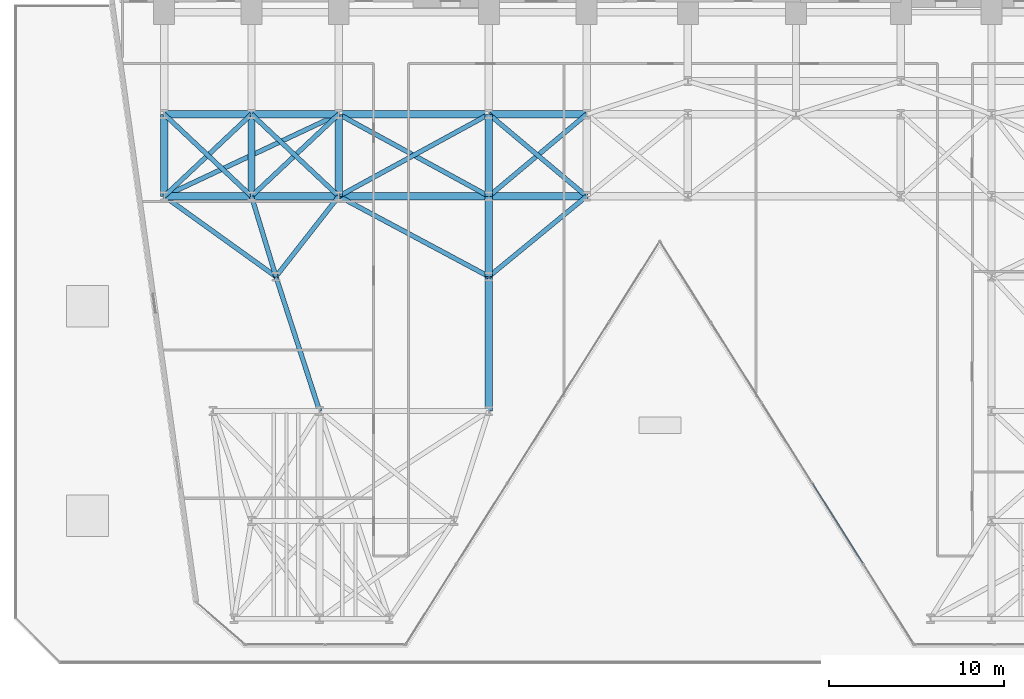
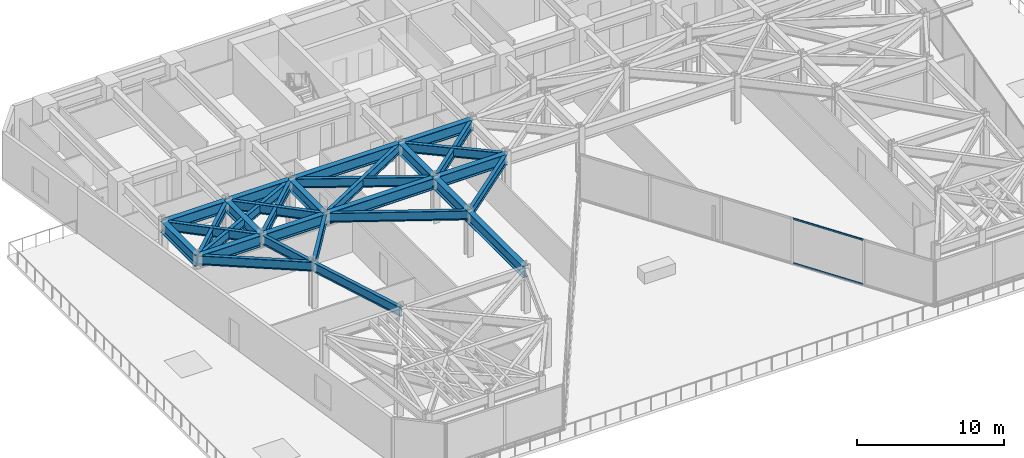
# One storey, part 6 of 25: 29 beams, 2 members, 1 element without a shape of its own.
"""IFC4 building model written with IfcOpenShell, lengths in metres."""

from ifc_helpers import new_model, si_unit, direction, frame, origin, origin_2d, place, context, subcontext, project, spatial, hollow_rectangle, i_section, extrude, material, layer, layer_set, material_profile, profile_set, type_object, element, aggregate, save


model = new_model("IFC4")

# Units and contexts
model_context = context("Model", 3, precision=1e-05, world=origin(), true_north=direction((0.0, 1.0)))
body_context = subcontext(model_context, "Body", "Model", "MODEL_VIEW")
ifc_project = project(units=[si_unit("LENGTHUNIT", "METRE"), si_unit("AREAUNIT", "SQUARE_METRE"), si_unit("VOLUMEUNIT", "CUBIC_METRE"), si_unit("PLANEANGLEUNIT", "RADIAN"), si_unit("MASSUNIT", "GRAM", prefix="KILO")], contexts=[model_context])

# Site, building, storey
site_placement = place(None, origin())
site = spatial("IfcSite", under=ifc_project, at=site_placement, CompositionType="ELEMENT")
building_placement = place(site_placement, origin())
building = spatial("IfcBuilding", under=site, at=building_placement, Name="Kravanh Interchange Tower", CompositionType="ELEMENT")
storey_placement = place(building_placement, frame((0.0, 0.0, 29.5)))
storey = spatial("IfcBuildingStorey", under=building, at=storey_placement, Name="L06", CompositionType="ELEMENT", Elevation=29.5)

# Curtain wall, members
ifc_material_1 = material(Name="Anodised Bronze Aluminium", Category="aluminium")
ifc_layer = layer(ifc_material_1, 0.179931640625)
ifc_layer_set = layer_set([ifc_layer], Name="Unitised Curtain Wall System CW-Z1 Lower Office")
curtain_wall_type = type_object("IfcCurtainWallType", Name="Unitised Curtain Wall System CW-Z1 Lower Office", PredefinedType="NOTDEFINED", material=ifc_layer_set)
curtain_wall_placement = place(storey_placement, origin())
curtain_wall = element("IfcCurtainWall", 1, at=curtain_wall_placement, inside=storey, type_object=curtain_wall_type, Name="L06 Unitised Curtain Wall CW-L06-04", PredefinedType="NOTDEFINED")
ifc_material_2 = material(Name="Anodised Bronze Aluminium", Category="aluminium")
ifc_material_profile_1 = material_profile(ifc_material_2, hollow_rectangle(XDim=0.06005859375, YDim=0.139892578125, WallThickness=0.00390625, at=origin_2d()), Name="ALU60X140X4")
ifc_profile_set_1 = profile_set([ifc_material_profile_1], Name="Anodised Bronze Aluminium")
member_type = type_object("IfcMemberType", Name="Curtain Wall Transom ALU60X140X4 Bronze", PredefinedType="USERDEFINED", material=ifc_profile_set_1)
member_1_placement = place(storey_placement, frame((48.63427734375, 5.7705078125, 0.030029296875), z_axis=(-0.533311487456, 0.84591894254, 0.0), x_axis=(-0.84591894254, -0.533311487456, 0.0)))
member_1 = element("IfcMember", 2, at=member_1_placement, type_object=member_type, Name="CW-Z1 transom 2.1", ObjectType="TRANSOM", PredefinedType="USERDEFINED", context=body_context, shape_type="SweptSolid", body=[
    extrude(hollow_rectangle(XDim=0.06005859375, YDim=0.139892578125, WallThickness=0.00390625, at=origin_2d()), origin(), (0.0, 0.0, 1.0), 5.392578125),
])
member_2_placement = place(storey_placement, frame((48.63427734375, 5.7705078125, 3.7099609375), z_axis=(-0.533311487456, 0.84591894254, 0.0), x_axis=(-0.84591894254, -0.533311487456, 0.0)))
member_2 = element("IfcMember", 3, at=member_2_placement, type_object=member_type, Name="CW-Z1 transom 2.2", ObjectType="TRANSOM", PredefinedType="USERDEFINED", context=body_context, shape_type="SweptSolid", body=[
    extrude(hollow_rectangle(XDim=0.06005859375, YDim=0.139892578125, WallThickness=0.00390625, at=origin_2d()), origin(), (0.0, 0.0, 1.0), 5.392578125),
])
aggregate(curtain_wall, [member_1, member_2])

# Beams
ifc_material_3 = material(Name="Structural Steel S355", Category="steel")
ifc_material_profile_2 = material_profile(ifc_material_3, i_section(OverallWidth=0.41796875, OverallDepth=0.927001953125, WebThickness=0.019287109375, FlangeThickness=0.031982421875, FilletRadius=0.028076171875, at=origin_2d()), Name="W36X231")
ifc_profile_set_2 = profile_set([ifc_material_profile_2], Name="Structural Steel S355")
beam_type_1 = type_object("IfcBeamType", Name="Floor Beam W36X231 Structural Steel S355", PredefinedType="BEAM", material=ifc_profile_set_2)
beam_1_placement = place(storey_placement, frame((27.199951171875, 22.199951171875, 3.276611328125), z_axis=(0.0, 1.0, 0.0), x_axis=(-1.0, 0.0, 0.0)))
element("IfcBeam", 4, at=beam_1_placement, inside=storey, type_object=beam_type_1, Name="L06 Primary Floor Girder 54", PredefinedType="BEAM", context=body_context, shape_type="SweptSolid", body=[
    extrude(i_section(OverallWidth=0.41796875, OverallDepth=0.927001953125, WebThickness=0.019287109375, FlangeThickness=0.031982421875, FilletRadius=0.028076171875, at=origin_2d()), origin(), (0.0, 0.0, 1.0), 4.60009765625),
])
beam_2_placement = place(storey_placement, frame((27.199951171875, 22.199951171875, 3.276611328125), z_axis=(0.0, -1.0, 0.0), x_axis=(1.0, 0.0, 0.0)))
element("IfcBeam", 5, at=beam_2_placement, inside=storey, type_object=beam_type_1, Name="L06 Primary Floor Girder 56", PredefinedType="BEAM", context=body_context, shape_type="SweptSolid", body=[
    extrude(i_section(OverallWidth=0.41796875, OverallDepth=0.927001953125, WebThickness=0.019287109375, FlangeThickness=0.031982421875, FilletRadius=0.028076171875, at=origin_2d()), origin(), (0.0, 0.0, 1.0), 7.699951171875),
])
beam_3_placement = place(storey_placement, frame((8.60009765625, 26.800048828125, 3.276611328125), z_axis=(0.0, 1.0, 0.0), x_axis=(-1.0, 0.0, 0.0)))
element("IfcBeam", 6, at=beam_3_placement, inside=storey, type_object=beam_type_1, Name="L06 Primary Floor Girder 66", PredefinedType="BEAM", context=body_context, shape_type="SweptSolid", body=[
    extrude(i_section(OverallWidth=0.41796875, OverallDepth=0.927001953125, WebThickness=0.019287109375, FlangeThickness=0.031982421875, FilletRadius=0.028076171875, at=origin_2d()), origin(), (0.0, 0.0, 1.0), 4.699951171875),
])
beam_4_placement = place(storey_placement, frame((8.60009765625, 26.800048828125, 3.276611328125), z_axis=(1.0, 0.0, 0.0), x_axis=(0.0, 1.0, 0.0)))
element("IfcBeam", 7, at=beam_4_placement, inside=storey, type_object=beam_type_1, Name="L06 Primary Floor Girder 67", PredefinedType="BEAM", context=body_context, shape_type="SweptSolid", body=[
    extrude(i_section(OverallWidth=0.41796875, OverallDepth=0.927001953125, WebThickness=0.019287109375, FlangeThickness=0.031982421875, FilletRadius=0.028076171875, at=origin_2d()), origin(), (0.0, 0.0, 1.0), 5.0),
])
beam_5_placement = place(storey_placement, frame((13.60009765625, 26.800048828125, 3.276611328125), z_axis=(0.0, 1.0, 0.0), x_axis=(-1.0, 0.0, 0.0)))
element("IfcBeam", 8, at=beam_5_placement, inside=storey, type_object=beam_type_1, Name="L06 Primary Floor Girder 70", PredefinedType="BEAM", context=body_context, shape_type="SweptSolid", body=[
    extrude(i_section(OverallWidth=0.41796875, OverallDepth=0.927001953125, WebThickness=0.019287109375, FlangeThickness=0.031982421875, FilletRadius=0.028076171875, at=origin_2d()), origin(), (0.0, 0.0, 1.0), 4.699951171875),
])
beam_6_placement = place(storey_placement, frame((13.60009765625, 26.800048828125, 3.276611328125), z_axis=(1.0, 0.0, 0.0), x_axis=(0.0, 1.0, 0.0)))
element("IfcBeam", 9, at=beam_6_placement, inside=storey, type_object=beam_type_1, Name="L06 Primary Floor Girder 71", PredefinedType="BEAM", context=body_context, shape_type="SweptSolid", body=[
    extrude(i_section(OverallWidth=0.41796875, OverallDepth=0.927001953125, WebThickness=0.019287109375, FlangeThickness=0.031982421875, FilletRadius=0.028076171875, at=origin_2d()), origin(), (0.0, 0.0, 1.0), 5.0),
])
beam_7_placement = place(storey_placement, frame((18.60009765625, 26.800048828125, 3.276611328125), z_axis=(0.0, 1.0, 0.0), x_axis=(-1.0, 0.0, 0.0)))
element("IfcBeam", 10, at=beam_7_placement, inside=storey, type_object=beam_type_1, Name="L06 Primary Floor Girder 74", PredefinedType="BEAM", context=body_context, shape_type="SweptSolid", body=[
    extrude(i_section(OverallWidth=0.41796875, OverallDepth=0.927001953125, WebThickness=0.019287109375, FlangeThickness=0.031982421875, FilletRadius=0.028076171875, at=origin_2d()), origin(), (0.0, 0.0, 1.0), 4.699951171875),
])
beam_8_placement = place(storey_placement, frame((18.60009765625, 26.800048828125, 3.276611328125), z_axis=(1.0, 0.0, 0.0), x_axis=(0.0, 1.0, 0.0)))
element("IfcBeam", 11, at=beam_8_placement, inside=storey, type_object=beam_type_1, Name="L06 Primary Floor Girder 76", PredefinedType="BEAM", context=body_context, shape_type="SweptSolid", body=[
    extrude(i_section(OverallWidth=0.41796875, OverallDepth=0.927001953125, WebThickness=0.019287109375, FlangeThickness=0.031982421875, FilletRadius=0.028076171875, at=origin_2d()), origin(), (0.0, 0.0, 1.0), 8.599853515625),
])
beam_9_placement = place(storey_placement, frame((27.199951171875, 26.800048828125, 3.276611328125), z_axis=(0.0, 1.0, 0.0), x_axis=(-1.0, 0.0, 0.0)))
element("IfcBeam", 12, at=beam_9_placement, inside=storey, type_object=beam_type_1, Name="L06 Primary Floor Girder 78", PredefinedType="BEAM", context=body_context, shape_type="SweptSolid", body=[
    extrude(i_section(OverallWidth=0.41796875, OverallDepth=0.927001953125, WebThickness=0.019287109375, FlangeThickness=0.031982421875, FilletRadius=0.028076171875, at=origin_2d()), origin(), (0.0, 0.0, 1.0), 4.699951171875),
])
beam_10_placement = place(storey_placement, frame((27.199951171875, 26.800048828125, 3.276611328125), z_axis=(1.0, 0.0, 0.0), x_axis=(0.0, 1.0, 0.0)))
element("IfcBeam", 13, at=beam_10_placement, inside=storey, type_object=beam_type_1, Name="L06 Primary Floor Girder 79", PredefinedType="BEAM", context=body_context, shape_type="SweptSolid", body=[
    extrude(i_section(OverallWidth=0.41796875, OverallDepth=0.927001953125, WebThickness=0.019287109375, FlangeThickness=0.031982421875, FilletRadius=0.028076171875, at=origin_2d()), origin(), (0.0, 0.0, 1.0), 5.60009765625),
])
for number, where, z_axis, x_axis, name in (
    (14, (8.60009765625, 31.5, 3.276611328125), (1.0, 0.0, 0.0), (0.0, 1.0, 0.0), "L06 Primary Floor Girder 100"),
    (15, (13.60009765625, 31.5, 3.276611328125), (1.0, 0.0, 0.0), (0.0, 1.0, 0.0), "L06 Primary Floor Girder 101"),
):
    element("IfcBeam", number, at=place(storey_placement, frame(where, z_axis=z_axis, x_axis=x_axis)), inside=storey, type_object=beam_type_1, Name=name, PredefinedType="BEAM", context=body_context, shape_type="SweptSolid", body=[
        extrude(i_section(OverallWidth=0.41796875, OverallDepth=0.927001953125, WebThickness=0.019287109375, FlangeThickness=0.031982421875, FilletRadius=0.028076171875, at=origin_2d()), origin(), (0.0, 0.0, 1.0), 5.0),
    ])
beam_11_placement = place(storey_placement, frame((18.60009765625, 31.5, 3.276611328125), z_axis=(1.0, 0.0, 0.0), x_axis=(0.0, 1.0, 0.0)))
element("IfcBeam", 16, at=beam_11_placement, inside=storey, type_object=beam_type_1, Name="L06 Primary Floor Girder 106", PredefinedType="BEAM", context=body_context, shape_type="SweptSolid", body=[
    extrude(i_section(OverallWidth=0.41796875, OverallDepth=0.927001953125, WebThickness=0.019287109375, FlangeThickness=0.031982421875, FilletRadius=0.028076171875, at=origin_2d()), origin(), (0.0, 0.0, 1.0), 8.599853515625),
])
beam_12_placement = place(storey_placement, frame((27.199951171875, 31.5, 3.276611328125), z_axis=(1.0, 0.0, 0.0), x_axis=(0.0, 1.0, 0.0)))
element("IfcBeam", 17, at=beam_12_placement, inside=storey, type_object=beam_type_1, Name="L06 Primary Floor Girder 107", PredefinedType="BEAM", context=body_context, shape_type="SweptSolid", body=[
    extrude(i_section(OverallWidth=0.41796875, OverallDepth=0.927001953125, WebThickness=0.019287109375, FlangeThickness=0.031982421875, FilletRadius=0.028076171875, at=origin_2d()), origin(), (0.0, 0.0, 1.0), 5.60009765625),
])
ifc_material_4 = material(Name="Structural Steel S355", Category="steel")
ifc_material_profile_3 = material_profile(ifc_material_4, i_section(OverallWidth=0.26708984375, OverallDepth=0.761962890625, WebThickness=0.014404296875, FlangeThickness=0.021484375, FilletRadius=0.02490234375, at=origin_2d()), Name="W30X116")
ifc_profile_set_3 = profile_set([ifc_material_profile_3], Name="Structural Steel S355")
beam_type_2 = type_object("IfcBeamType", Name="Floor Spandrel W30X116 Structural Steel S355", PredefinedType="SPANDREL", material=ifc_profile_set_3)
beam_13_placement = place(storey_placement, frame((15.0, 22.199951171875, 3.35888671875), z_axis=(-0.291137370727, 0.956681259023, 0.0), x_axis=(-0.956681259023, -0.291137370727, 0.0)))
element("IfcBeam", 18, at=beam_13_placement, inside=storey, type_object=beam_type_2, Name="L06 Perimeter Spandrel 50", PredefinedType="SPANDREL", context=body_context, shape_type="SweptSolid", body=[
    extrude(i_section(OverallWidth=0.26708984375, OverallDepth=0.761962890625, WebThickness=0.014404296875, FlangeThickness=0.021484375, FilletRadius=0.02490234375, at=origin_2d()), origin(), (0.0, 0.0, 1.0), 4.808349609375),
])
beam_14_placement = place(storey_placement, frame((15.0, 22.199951171875, 3.35888671875), z_axis=(0.616310515553, 0.787503237085, 0.0), x_axis=(-0.787503237085, 0.616310515553, 0.0)))
element("IfcBeam", 19, at=beam_14_placement, inside=storey, type_object=beam_type_2, Name="L06 Perimeter Spandrel 51", PredefinedType="SPANDREL", context=body_context, shape_type="SweptSolid", body=[
    extrude(i_section(OverallWidth=0.26708984375, OverallDepth=0.761962890625, WebThickness=0.014404296875, FlangeThickness=0.021484375, FilletRadius=0.02490234375, at=origin_2d()), origin(), (0.0, 0.0, 1.0), 5.84130859375),
])
beam_15_placement = place(storey_placement, frame((15.0, 22.199951171875, 3.35888671875), z_axis=(-0.812005278585, 0.583650089994, 0.0), x_axis=(-0.583650089994, -0.812005278585, 0.0)))
element("IfcBeam", 20, at=beam_15_placement, inside=storey, type_object=beam_type_2, Name="L06 Perimeter Spandrel 52", PredefinedType="SPANDREL", context=body_context, shape_type="SweptSolid", body=[
    extrude(i_section(OverallWidth=0.26708984375, OverallDepth=0.761962890625, WebThickness=0.014404296875, FlangeThickness=0.021484375, FilletRadius=0.02490234375, at=origin_2d()), origin(), (0.0, 0.0, 1.0), 7.881591796875),
])
beam_16_placement = place(storey_placement, frame((15.0, 22.199951171875, 3.35888671875), z_axis=(0.30880852537, -0.951124226723, 0.0), x_axis=(0.951124226723, 0.30880852537, 0.0)))
element("IfcBeam", 21, at=beam_16_placement, inside=storey, type_object=beam_type_2, Name="L06 Perimeter Spandrel 53", PredefinedType="SPANDREL", context=body_context, shape_type="SweptSolid", body=[
    extrude(i_section(OverallWidth=0.26708984375, OverallDepth=0.761962890625, WebThickness=0.014404296875, FlangeThickness=0.021484375, FilletRadius=0.02490234375, at=origin_2d()), origin(), (0.0, 0.0, 1.0), 8.095703125),
])
beam_17_placement = place(storey_placement, frame((27.199951171875, 22.199951171875, 3.35888671875), z_axis=(0.772725074305, 0.634740860147, 0.0), x_axis=(-0.634740860147, 0.772725074305, 0.0)))
element("IfcBeam", 22, at=beam_17_placement, inside=storey, type_object=beam_type_2, Name="L06 Perimeter Spandrel 55", PredefinedType="SPANDREL", context=body_context, shape_type="SweptSolid", body=[
    extrude(i_section(OverallWidth=0.26708984375, OverallDepth=0.761962890625, WebThickness=0.014404296875, FlangeThickness=0.021484375, FilletRadius=0.02490234375, at=origin_2d()), origin(), (0.0, 0.0, 1.0), 7.247314453125),
])
beam_18_placement = place(storey_placement, frame((27.199951171875, 22.199951171875, 3.35888671875), z_axis=(-0.881777136221, 0.471666282489, 0.0), x_axis=(-0.471666282489, -0.881777136221, 0.0)))
element("IfcBeam", 23, at=beam_18_placement, inside=storey, type_object=beam_type_2, Name="L06 Perimeter Spandrel 57", PredefinedType="SPANDREL", context=body_context, shape_type="SweptSolid", body=[
    extrude(i_section(OverallWidth=0.26708984375, OverallDepth=0.761962890625, WebThickness=0.014404296875, FlangeThickness=0.021484375, FilletRadius=0.02490234375, at=origin_2d()), origin(), (0.0, 0.0, 1.0), 9.7529296875),
])
beam_19_placement = place(storey_placement, frame((8.60009765625, 26.800048828125, 3.35888671875), z_axis=(0.728631219862, 0.684906231131, 0.0), x_axis=(-0.684906231131, 0.728631219862, 0.0)))
element("IfcBeam", 24, at=beam_19_placement, inside=storey, type_object=beam_type_2, Name="L06 Perimeter Spandrel 68", PredefinedType="SPANDREL", context=body_context, shape_type="SweptSolid", body=[
    extrude(i_section(OverallWidth=0.26708984375, OverallDepth=0.761962890625, WebThickness=0.014404296875, FlangeThickness=0.021484375, FilletRadius=0.02490234375, at=origin_2d()), origin(), (0.0, 0.0, 1.0), 6.862060546875),
])
beam_20_placement = place(storey_placement, frame((8.60009765625, 26.800048828125, 3.35888671875), z_axis=(0.905025402916, 0.425357520301, 0.0), x_axis=(-0.425357520301, 0.905025402916, 0.0)))
element("IfcBeam", 25, at=beam_20_placement, inside=storey, type_object=beam_type_2, Name="L06 Perimeter Spandrel 69", PredefinedType="SPANDREL", context=body_context, shape_type="SweptSolid", body=[
    extrude(i_section(OverallWidth=0.26708984375, OverallDepth=0.761962890625, WebThickness=0.014404296875, FlangeThickness=0.021484375, FilletRadius=0.02490234375, at=origin_2d()), origin(), (0.0, 0.0, 1.0), 11.04931640625),
])
for number, where, z_axis, x_axis, name in (
    (26, (13.60009765625, 26.800048828125, 3.35888671875), (-0.728631219862, 0.684906231131, 0.0), (-0.684906231131, -0.728631219862, 0.0), "L06 Perimeter Spandrel 72"),
    (27, (13.60009765625, 26.800048828125, 3.35888671875), (0.728631219862, 0.684906231131, 0.0), (-0.684906231131, 0.728631219862, 0.0), "L06 Perimeter Spandrel 73"),
    (28, (18.60009765625, 26.800048828125, 3.35888671875), (-0.728631219862, 0.684906231131, 0.0), (-0.684906231131, -0.728631219862, 0.0), "L06 Perimeter Spandrel 75"),
):
    element("IfcBeam", number, at=place(storey_placement, frame(where, z_axis=z_axis, x_axis=x_axis)), inside=storey, type_object=beam_type_2, Name=name, PredefinedType="SPANDREL", context=body_context, shape_type="SweptSolid", body=[
        extrude(i_section(OverallWidth=0.26708984375, OverallDepth=0.761962890625, WebThickness=0.014404296875, FlangeThickness=0.021484375, FilletRadius=0.02490234375, at=origin_2d()), origin(), (0.0, 0.0, 1.0), 6.862060546875),
    ])
beam_21_placement = place(storey_placement, frame((18.60009765625, 26.800048828125, 3.35888671875), z_axis=(0.877503996342, 0.479569323877, 0.0), x_axis=(-0.479569323877, 0.877503996342, 0.0)))
element("IfcBeam", 29, at=beam_21_placement, inside=storey, type_object=beam_type_2, Name="L06 Perimeter Spandrel 77", PredefinedType="SPANDREL", context=body_context, shape_type="SweptSolid", body=[
    extrude(i_section(OverallWidth=0.26708984375, OverallDepth=0.761962890625, WebThickness=0.014404296875, FlangeThickness=0.021484375, FilletRadius=0.02490234375, at=origin_2d()), origin(), (0.0, 0.0, 1.0), 9.80029296875),
])
beam_22_placement = place(storey_placement, frame((27.199951171875, 26.800048828125, 3.35888671875), z_axis=(0.765983062929, 0.642860752657, 0.0), x_axis=(-0.642860752657, 0.765983062929, 0.0)))
element("IfcBeam", 30, at=beam_22_placement, inside=storey, type_object=beam_type_2, Name="L06 Perimeter Spandrel 80", PredefinedType="SPANDREL", context=body_context, shape_type="SweptSolid", body=[
    extrude(i_section(OverallWidth=0.26708984375, OverallDepth=0.761962890625, WebThickness=0.014404296875, FlangeThickness=0.021484375, FilletRadius=0.02490234375, at=origin_2d()), origin(), (0.0, 0.0, 1.0), 7.31103515625),
])
beam_23_placement = place(storey_placement, frame((27.199951171875, 26.800048828125, 3.35888671875), z_axis=(-0.877503996342, 0.479569323877, 0.0), x_axis=(-0.479569323877, -0.877503996342, 0.0)))
element("IfcBeam", 31, at=beam_23_placement, inside=storey, type_object=beam_type_2, Name="L06 Perimeter Spandrel 81", PredefinedType="SPANDREL", context=body_context, shape_type="SweptSolid", body=[
    extrude(i_section(OverallWidth=0.26708984375, OverallDepth=0.761962890625, WebThickness=0.014404296875, FlangeThickness=0.021484375, FilletRadius=0.02490234375, at=origin_2d()), origin(), (0.0, 0.0, 1.0), 9.80029296875),
])
beam_24_placement = place(storey_placement, frame((32.800048828125, 26.800048828125, 3.35888671875), z_axis=(-0.765983062929, 0.642860752657, 0.0), x_axis=(-0.642860752657, -0.765983062929, 0.0)))
element("IfcBeam", 32, at=beam_24_placement, inside=storey, type_object=beam_type_2, Name="L06 Perimeter Spandrel 84", PredefinedType="SPANDREL", context=body_context, shape_type="SweptSolid", body=[
    extrude(i_section(OverallWidth=0.26708984375, OverallDepth=0.761962890625, WebThickness=0.014404296875, FlangeThickness=0.021484375, FilletRadius=0.02490234375, at=origin_2d()), origin(), (0.0, 0.0, 1.0), 7.31103515625),
])

save(model, "model.ifc")
